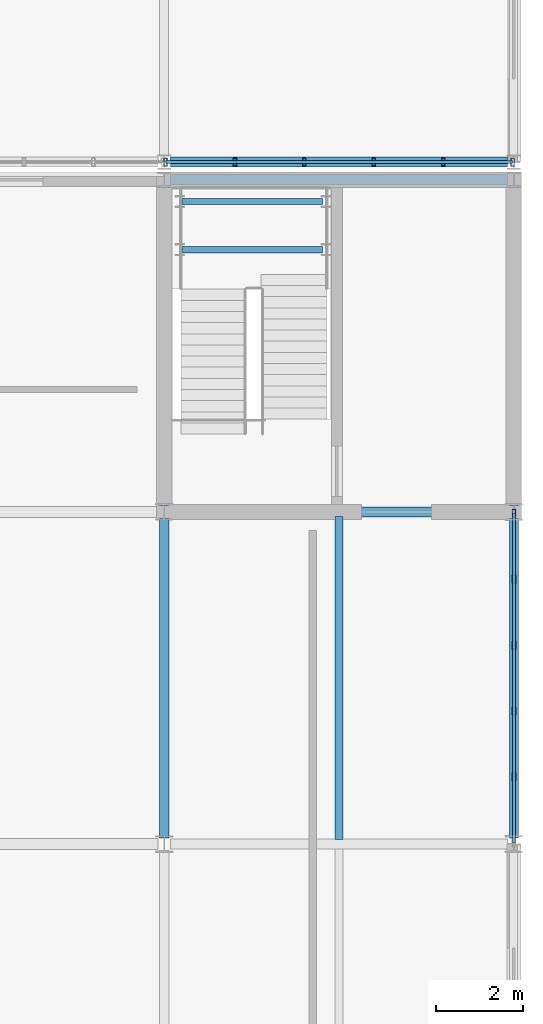
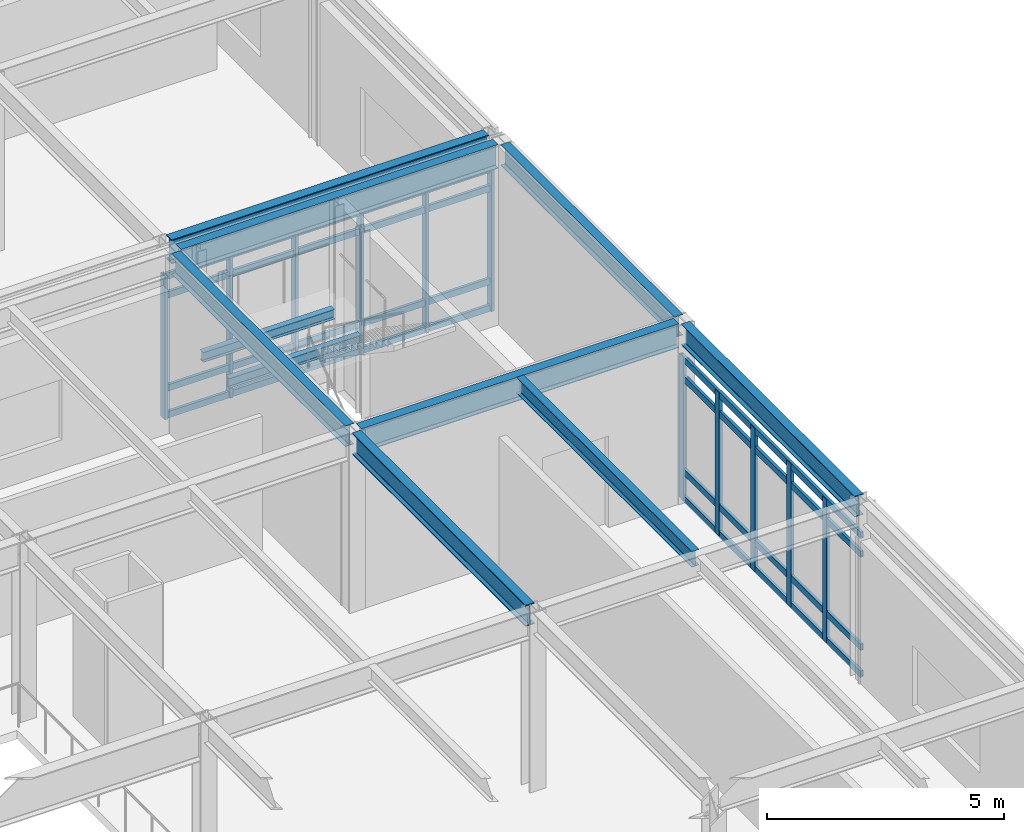
# One storey, part 68 of 104: 19 members, 10 beams, 2 elements without a shape of their own.
"""IFC4 building model written with IfcOpenShell, lengths in metres."""

from ifc_helpers import new_model, si_unit, direction, frame, origin, origin_2d, place, context, subcontext, project, spatial, hollow_rectangle, i_section, extrude, material, material_profile, profile_set, type_object, element, aggregate, save


model = new_model("IFC4")

# Units and contexts
model_context = context("Model", 3, precision=1e-05, world=origin(), true_north=direction((0.0, 1.0)))
body_context = subcontext(model_context, "Body", "Model", "MODEL_VIEW")
ifc_project = project(units=[si_unit("LENGTHUNIT", "METRE"), si_unit("AREAUNIT", "SQUARE_METRE"), si_unit("VOLUMEUNIT", "CUBIC_METRE"), si_unit("PLANEANGLEUNIT", "RADIAN"), si_unit("MASSUNIT", "GRAM", prefix="KILO")], contexts=[model_context])

# Site, building, storey
site_placement = place(None, origin())
site = spatial("IfcSite", under=ifc_project, at=site_placement, CompositionType="ELEMENT")
building_placement = place(site_placement, origin())
building = spatial("IfcBuilding", under=site, at=building_placement, Name="Zulena Civic Courthouse", CompositionType="ELEMENT")
storey_placement = place(building_placement, frame((0.0, 0.0, 10.800048828125)))
storey = spatial("IfcBuildingStorey", under=building, at=storey_placement, Name="L02", CompositionType="ELEMENT", Elevation=10.800048828125)

# Curtain wall, members
ifc_material_1 = material(Name="Double-silver low-E laminated solar-control glass", Category="glass")
curtain_wall_type_1 = type_object("IfcCurtainWallType", Name="CW_7540x3690", PredefinedType="USERDEFINED", material=ifc_material_1)
curtain_wall_1_placement = place(storey_placement, origin())
curtain_wall_1 = element("IfcCurtainWall", 1, at=curtain_wall_1_placement, inside=storey, type_object=curtain_wall_type_1, Name="cw:V1:L02:2:1", ObjectType="UNITISED CURTAIN WALL", PredefinedType="USERDEFINED")
ifc_material_2 = material(Name="Bronze anodised thermally broken aluminium AA6063-T6", Category="aluminium")
ifc_material_profile_1 = material_profile(ifc_material_2, hollow_rectangle(XDim=0.074951171875, YDim=0.179931640625, WallThickness=0.0048828125, at=origin_2d()), Name="CWM180X75X5")
ifc_profile_set_1 = profile_set([ifc_material_profile_1], Name="Bronze anodised thermally broken aluminium AA6063-T6")
member_type_1 = type_object("IfcMemberType", Name="CWMullion_180x75", PredefinedType="MULLION", material=ifc_profile_set_1)
member_1_placement = place(storey_placement, frame((172.0, 22.77001953125, 0.0), z_axis=(0.0, 0.0, 1.0), x_axis=(1.0, 0.0, 0.0)))
member_1 = element("IfcMember", 2, at=member_1_placement, type_object=member_type_1, Name="cw:V1:L02:2:1:mull:0", PredefinedType="MULLION", context=body_context, shape_type="SweptSolid", body=[
    extrude(hollow_rectangle(XDim=0.074951171875, YDim=0.179931640625, WallThickness=0.0048828125, at=origin_2d()), origin(), (0.0, 0.0, 1.0), 3.68994140625),
])
member_2_placement = place(storey_placement, frame((172.0, 21.261962890625, 0.0), z_axis=(0.0, 0.0, 1.0), x_axis=(1.0, 0.0, 0.0)))
member_2 = element("IfcMember", 3, at=member_2_placement, type_object=member_type_1, Name="cw:V1:L02:2:1:mull:1", PredefinedType="MULLION", context=body_context, shape_type="SweptSolid", body=[
    extrude(hollow_rectangle(XDim=0.074951171875, YDim=0.179931640625, WallThickness=0.0048828125, at=origin_2d()), origin(), (0.0, 0.0, 1.0), 3.68994140625),
])
member_3_placement = place(storey_placement, frame((172.0, 19.75390625, 0.0), z_axis=(0.0, 0.0, 1.0), x_axis=(1.0, 0.0, 0.0)))
member_3 = element("IfcMember", 4, at=member_3_placement, type_object=member_type_1, Name="cw:V1:L02:2:1:mull:2", PredefinedType="MULLION", context=body_context, shape_type="SweptSolid", body=[
    extrude(hollow_rectangle(XDim=0.074951171875, YDim=0.179931640625, WallThickness=0.0048828125, at=origin_2d()), origin(), (0.0, 0.0, 1.0), 3.68994140625),
])
member_4_placement = place(storey_placement, frame((172.0, 18.24609375, 0.0), z_axis=(0.0, 0.0, 1.0), x_axis=(1.0, 0.0, 0.0)))
member_4 = element("IfcMember", 5, at=member_4_placement, type_object=member_type_1, Name="cw:V1:L02:2:1:mull:3", PredefinedType="MULLION", context=body_context, shape_type="SweptSolid", body=[
    extrude(hollow_rectangle(XDim=0.074951171875, YDim=0.179931640625, WallThickness=0.0048828125, at=origin_2d()), origin(), (0.0, 0.0, 1.0), 3.68994140625),
])
member_5_placement = place(storey_placement, frame((172.0, 16.738037109375, 0.0), z_axis=(0.0, 0.0, 1.0), x_axis=(1.0, 0.0, 0.0)))
member_5 = element("IfcMember", 6, at=member_5_placement, type_object=member_type_1, Name="cw:V1:L02:2:1:mull:4", PredefinedType="MULLION", context=body_context, shape_type="SweptSolid", body=[
    extrude(hollow_rectangle(XDim=0.074951171875, YDim=0.179931640625, WallThickness=0.0048828125, at=origin_2d()), origin(), (0.0, 0.0, 1.0), 3.68994140625),
])

curtain_wall_type_2 = type_object("IfcCurtainWallType", Name="CW_7940x3690", PredefinedType="USERDEFINED", material=ifc_material_1)
curtain_wall_2_placement = place(storey_placement, origin())
curtain_wall_2 = element("IfcCurtainWall", 7, at=curtain_wall_2_placement, inside=storey, type_object=curtain_wall_type_2, Name="cw:V3:L02:3:0", ObjectType="UNITISED CURTAIN WALL", PredefinedType="USERDEFINED")
member_6_placement = place(storey_placement, frame((171.969970703125, 30.800048828125, 0.0), z_axis=(0.0, 0.0, 1.0), x_axis=(1.0, 0.0, 0.0)))
member_6 = element("IfcMember", 8, at=member_6_placement, type_object=member_type_1, Name="cw:V3:L02:3:0:mull:0", PredefinedType="MULLION", context=body_context, shape_type="SweptSolid", body=[
    extrude(hollow_rectangle(XDim=0.074951171875, YDim=0.179931640625, WallThickness=0.0048828125, at=origin_2d()), origin(), (0.0, 0.0, 1.0), 3.68994140625),
])
member_7_placement = place(storey_placement, frame((170.382080078125, 30.800048828125, 0.0), z_axis=(0.0, 0.0, 1.0), x_axis=(1.0, 0.0, 0.0)))
member_7 = element("IfcMember", 9, at=member_7_placement, type_object=member_type_1, Name="cw:V3:L02:3:0:mull:1", PredefinedType="MULLION", context=body_context, shape_type="SweptSolid", body=[
    extrude(hollow_rectangle(XDim=0.074951171875, YDim=0.179931640625, WallThickness=0.0048828125, at=origin_2d()), origin(), (0.0, 0.0, 1.0), 3.68994140625),
])
member_8_placement = place(storey_placement, frame((168.7939453125, 30.800048828125, 0.0), z_axis=(0.0, 0.0, 1.0), x_axis=(1.0, 0.0, 0.0)))
member_8 = element("IfcMember", 10, at=member_8_placement, type_object=member_type_1, Name="cw:V3:L02:3:0:mull:2", PredefinedType="MULLION", context=body_context, shape_type="SweptSolid", body=[
    extrude(hollow_rectangle(XDim=0.074951171875, YDim=0.179931640625, WallThickness=0.0048828125, at=origin_2d()), origin(), (0.0, 0.0, 1.0), 3.68994140625),
])
member_9_placement = place(storey_placement, frame((167.2060546875, 30.800048828125, 0.0), z_axis=(0.0, 0.0, 1.0), x_axis=(1.0, 0.0, 0.0)))
member_9 = element("IfcMember", 11, at=member_9_placement, type_object=member_type_1, Name="cw:V3:L02:3:0:mull:3", PredefinedType="MULLION", context=body_context, shape_type="SweptSolid", body=[
    extrude(hollow_rectangle(XDim=0.074951171875, YDim=0.179931640625, WallThickness=0.0048828125, at=origin_2d()), origin(), (0.0, 0.0, 1.0), 3.68994140625),
])
member_10_placement = place(storey_placement, frame((165.617919921875, 30.800048828125, 0.0), z_axis=(0.0, 0.0, 1.0), x_axis=(1.0, 0.0, 0.0)))
member_10 = element("IfcMember", 12, at=member_10_placement, type_object=member_type_1, Name="cw:V3:L02:3:0:mull:4", PredefinedType="MULLION", context=body_context, shape_type="SweptSolid", body=[
    extrude(hollow_rectangle(XDim=0.074951171875, YDim=0.179931640625, WallThickness=0.0048828125, at=origin_2d()), origin(), (0.0, 0.0, 1.0), 3.68994140625),
])
member_11_placement = place(storey_placement, frame((164.030029296875, 30.800048828125, 0.0), z_axis=(0.0, 0.0, 1.0), x_axis=(1.0, 0.0, 0.0)))
member_11 = element("IfcMember", 13, at=member_11_placement, type_object=member_type_1, Name="cw:V3:L02:3:0:mull:5", PredefinedType="MULLION", context=body_context, shape_type="SweptSolid", body=[
    extrude(hollow_rectangle(XDim=0.074951171875, YDim=0.179931640625, WallThickness=0.0048828125, at=origin_2d()), origin(), (0.0, 0.0, 1.0), 3.68994140625),
])

# Member
ifc_material_profile_2 = material_profile(ifc_material_2, hollow_rectangle(XDim=0.070068359375, YDim=0.1650390625, WallThickness=0.00390625, at=origin_2d()), Name="CWT165X70X4")
ifc_profile_set_2 = profile_set([ifc_material_profile_2], Name="Bronze anodised thermally broken aluminium AA6063-T6")
member_type_2 = type_object("IfcMemberType", Name="CWTransom_165x70", PredefinedType="USERDEFINED", material=ifc_profile_set_2)
member_12_placement = place(storey_placement, frame((172.0, 22.77001953125, 0.06005859375), z_axis=(0.0, -1.0, 0.0), x_axis=(1.0, 0.0, 0.0)))
member_12 = element("IfcMember", 14, at=member_12_placement, type_object=member_type_2, Name="cw:V1:L02:2:1:tran:0", ObjectType="TRANSOM", PredefinedType="USERDEFINED", context=body_context, shape_type="SweptSolid", body=[
    extrude(hollow_rectangle(XDim=0.070068359375, YDim=0.1650390625, WallThickness=0.00390625, at=origin_2d()), origin(), (0.0, 0.0, 1.0), 7.5400390625),
])

member_13_placement = place(storey_placement, frame((172.0, 22.77001953125, 0.75), z_axis=(0.0, -1.0, 0.0), x_axis=(1.0, 0.0, 0.0)))
member_13 = element("IfcMember", 15, at=member_13_placement, type_object=member_type_2, Name="cw:V1:L02:2:1:tran:1", ObjectType="TRANSOM", PredefinedType="USERDEFINED", context=body_context, shape_type="SweptSolid", body=[
    extrude(hollow_rectangle(XDim=0.070068359375, YDim=0.1650390625, WallThickness=0.00390625, at=origin_2d()), origin(), (0.0, 0.0, 1.0), 7.5400390625),
])

member_14_placement = place(storey_placement, frame((172.0, 22.77001953125, 3.139892578125), z_axis=(0.0, -1.0, 0.0), x_axis=(1.0, 0.0, 0.0)))
member_14 = element("IfcMember", 16, at=member_14_placement, type_object=member_type_2, Name="cw:V1:L02:2:1:tran:2", ObjectType="TRANSOM", PredefinedType="USERDEFINED", context=body_context, shape_type="SweptSolid", body=[
    extrude(hollow_rectangle(XDim=0.070068359375, YDim=0.1650390625, WallThickness=0.00390625, at=origin_2d()), origin(), (0.0, 0.0, 1.0), 7.5400390625),
])

member_15_placement = place(storey_placement, frame((172.0, 22.77001953125, 3.6298828125), z_axis=(0.0, -1.0, 0.0), x_axis=(1.0, 0.0, 0.0)))
member_15 = element("IfcMember", 17, at=member_15_placement, type_object=member_type_2, Name="cw:V1:L02:2:1:tran:3", ObjectType="TRANSOM", PredefinedType="USERDEFINED", context=body_context, shape_type="SweptSolid", body=[
    extrude(hollow_rectangle(XDim=0.070068359375, YDim=0.1650390625, WallThickness=0.00390625, at=origin_2d()), origin(), (0.0, 0.0, 1.0), 7.5400390625),
])

aggregate(curtain_wall_1, [member_1, member_2, member_3, member_4, member_5, member_12, member_13, member_14, member_15])

member_16_placement = place(storey_placement, frame((171.969970703125, 30.800048828125, 0.06005859375), z_axis=(-1.0, 0.0, 0.0), x_axis=(0.0, -1.0, 0.0)))
member_16 = element("IfcMember", 18, at=member_16_placement, type_object=member_type_2, Name="cw:V3:L02:3:0:tran:0", ObjectType="TRANSOM", PredefinedType="USERDEFINED", context=body_context, shape_type="SweptSolid", body=[
    extrude(hollow_rectangle(XDim=0.070068359375, YDim=0.1650390625, WallThickness=0.00390625, at=origin_2d()), origin(), (0.0, 0.0, 1.0), 7.93994140625),
])

member_17_placement = place(storey_placement, frame((171.969970703125, 30.800048828125, 0.75), z_axis=(-1.0, 0.0, 0.0), x_axis=(0.0, -1.0, 0.0)))
member_17 = element("IfcMember", 19, at=member_17_placement, type_object=member_type_2, Name="cw:V3:L02:3:0:tran:1", ObjectType="TRANSOM", PredefinedType="USERDEFINED", context=body_context, shape_type="SweptSolid", body=[
    extrude(hollow_rectangle(XDim=0.070068359375, YDim=0.1650390625, WallThickness=0.00390625, at=origin_2d()), origin(), (0.0, 0.0, 1.0), 7.93994140625),
])

member_18_placement = place(storey_placement, frame((171.969970703125, 30.800048828125, 3.139892578125), z_axis=(-1.0, 0.0, 0.0), x_axis=(0.0, -1.0, 0.0)))
member_18 = element("IfcMember", 20, at=member_18_placement, type_object=member_type_2, Name="cw:V3:L02:3:0:tran:2", ObjectType="TRANSOM", PredefinedType="USERDEFINED", context=body_context, shape_type="SweptSolid", body=[
    extrude(hollow_rectangle(XDim=0.070068359375, YDim=0.1650390625, WallThickness=0.00390625, at=origin_2d()), origin(), (0.0, 0.0, 1.0), 7.93994140625),
])

member_19_placement = place(storey_placement, frame((171.969970703125, 30.800048828125, 3.6298828125), z_axis=(-1.0, 0.0, 0.0), x_axis=(0.0, -1.0, 0.0)))
member_19 = element("IfcMember", 21, at=member_19_placement, type_object=member_type_2, Name="cw:V3:L02:3:0:tran:3", ObjectType="TRANSOM", PredefinedType="USERDEFINED", context=body_context, shape_type="SweptSolid", body=[
    extrude(hollow_rectangle(XDim=0.070068359375, YDim=0.1650390625, WallThickness=0.00390625, at=origin_2d()), origin(), (0.0, 0.0, 1.0), 7.93994140625),
])

aggregate(curtain_wall_2, [member_6, member_7, member_8, member_9, member_10, member_11, member_16, member_17, member_18, member_19])

# Beams
ifc_material_3 = material(Name="Steel ASTM A992 Grade 50", Category="steel")
ifc_material_profile_3 = material_profile(ifc_material_3, i_section(OverallWidth=0.214111328125, OverallDepth=0.549072265625, WebThickness=0.0146484375, FlangeThickness=0.023681640625, FilletRadius=0.0126953125, at=origin_2d()), Name="W21X93")
ifc_profile_set_3 = profile_set([ifc_material_profile_3], Name="Steel ASTM A992 Grade 50")
beam_type_1 = type_object("IfcBeamType", Name="Girder_W21X93", PredefinedType="BEAM", material=ifc_profile_set_3)
beam_1_placement = place(storey_placement, frame((164.0, 15.344970703125, 4.3154296875), z_axis=(0.0, 1.0, 0.0), x_axis=(-1.0, 0.0, 0.0)))
element("IfcBeam", 22, at=beam_1_placement, inside=storey, type_object=beam_type_1, Name="beam:Y:V1:L02:164.0:15.2_22.8", PredefinedType="BEAM", context=body_context, shape_type="SweptSolid", body=[
    extrude(i_section(OverallWidth=0.214111328125, OverallDepth=0.549072265625, WebThickness=0.0146484375, FlangeThickness=0.023681640625, FilletRadius=0.0126953125, at=origin_2d()), origin(), (0.0, 0.0, 1.0), 7.31005859375),
])
ifc_material_profile_4 = material_profile(ifc_material_3, i_section(OverallWidth=0.14599609375, OverallDepth=0.258056640625, WebThickness=0.006103515625, FlangeThickness=0.009033203125, FilletRadius=0.007568359375, at=origin_2d()), Name="W10X22")
ifc_profile_set_4 = profile_set([ifc_material_profile_4], Name="Steel ASTM A992 Grade 50")
beam_type_2 = type_object("IfcBeamType", Name="Joist_W10X22", PredefinedType="JOIST", material=ifc_profile_set_4)
for number, where, z_axis, x_axis, name in (
    (23, (164.419921875, 28.800048828125, 1.990966796875), (1.0, 0.0, 0.0), (0.0, 1.0, 0.0), "beam:lnd:K1B:L02:0"),
    (24, (164.419921875, 29.89990234375, 1.990966796875), (1.0, 0.0, 0.0), (0.0, 1.0, 0.0), "beam:lnd:K1B:L02:1"),
):
    element("IfcBeam", number, at=place(storey_placement, frame(where, z_axis=z_axis, x_axis=x_axis)), inside=storey, type_object=beam_type_2, Name=name, PredefinedType="JOIST", context=body_context, shape_type="SweptSolid", body=[
        extrude(i_section(OverallWidth=0.14599609375, OverallDepth=0.258056640625, WebThickness=0.006103515625, FlangeThickness=0.009033203125, FilletRadius=0.007568359375, at=origin_2d()), origin(), (0.0, 0.0, 1.0), 3.2001953125),
    ])
ifc_material_profile_5 = material_profile(ifc_material_3, i_section(OverallWidth=0.177978515625, OverallDepth=0.406005859375, WebThickness=0.0078125, FlangeThickness=0.0126953125, FilletRadius=0.01025390625, at=origin_2d()), Name="W16X40")
ifc_profile_set_5 = profile_set([ifc_material_profile_5], Name="Steel ASTM A992 Grade 50")
beam_type_3 = type_object("IfcBeamType", Name="Joist_W16X40", PredefinedType="JOIST", material=ifc_profile_set_5)
beam_2_placement = place(storey_placement, frame((168.0, 15.304931640625, 4.386962890625), z_axis=(0.0, 1.0, 0.0), x_axis=(-1.0, 0.0, 0.0)))
element("IfcBeam", 25, at=beam_2_placement, inside=storey, type_object=beam_type_3, Name="joist:V1:L02:168.00:15.2_22.8", PredefinedType="JOIST", context=body_context, shape_type="SweptSolid", body=[
    extrude(i_section(OverallWidth=0.177978515625, OverallDepth=0.406005859375, WebThickness=0.0078125, FlangeThickness=0.0126953125, FilletRadius=0.01025390625, at=origin_2d()), origin(), (0.0, 0.0, 1.0), 7.39013671875),
])
ifc_material_profile_6 = material_profile(ifc_material_3, i_section(OverallWidth=0.2099609375, OverallDepth=0.537109375, WebThickness=0.010986328125, FlangeThickness=0.017333984375, FilletRadius=0.0126953125, at=origin_2d()), Name="W21X68")
ifc_profile_set_6 = profile_set([ifc_material_profile_6], Name="Steel ASTM A992 Grade 50")
beam_type_4 = type_object("IfcBeamType", Name="Spandrel_W21X68", PredefinedType="SPANDREL", material=ifc_profile_set_6)
beam_3_placement = place(storey_placement, frame((164.0, 22.945068359375, 4.321533203125), z_axis=(0.0, 1.0, 0.0), x_axis=(-1.0, 0.0, 0.0)))
element("IfcBeam", 26, at=beam_3_placement, inside=storey, type_object=beam_type_4, Name="beam:Y:V1:L02:164.0:22.8_30.4", PredefinedType="SPANDREL", context=body_context, shape_type="SweptSolid", body=[
    extrude(i_section(OverallWidth=0.2099609375, OverallDepth=0.537109375, WebThickness=0.010986328125, FlangeThickness=0.017333984375, FilletRadius=0.0126953125, at=origin_2d()), origin(), (0.0, 0.0, 1.0), 7.309814453125),
])
beam_4_placement = place(storey_placement, frame((172.0, 15.344970703125, 4.321533203125), z_axis=(0.0, 1.0, 0.0), x_axis=(-1.0, 0.0, 0.0)))
element("IfcBeam", 27, at=beam_4_placement, inside=storey, type_object=beam_type_4, Name="beam:Y:V1:L02:172.0:15.2_22.8", PredefinedType="SPANDREL", context=body_context, shape_type="SweptSolid", body=[
    extrude(i_section(OverallWidth=0.2099609375, OverallDepth=0.537109375, WebThickness=0.010986328125, FlangeThickness=0.017333984375, FilletRadius=0.0126953125, at=origin_2d()), origin(), (0.0, 0.0, 1.0), 7.31005859375),
])
beam_5_placement = place(storey_placement, frame((172.0, 22.945068359375, 4.321533203125), z_axis=(0.0, 1.0, 0.0), x_axis=(-1.0, 0.0, 0.0)))
element("IfcBeam", 28, at=beam_5_placement, inside=storey, type_object=beam_type_4, Name="beam:Y:V1:L02:172.0:22.8_30.4", PredefinedType="SPANDREL", context=body_context, shape_type="SweptSolid", body=[
    extrude(i_section(OverallWidth=0.2099609375, OverallDepth=0.537109375, WebThickness=0.010986328125, FlangeThickness=0.017333984375, FilletRadius=0.0126953125, at=origin_2d()), origin(), (0.0, 0.0, 1.0), 7.309814453125),
])
ifc_material_profile_7 = material_profile(ifc_material_3, i_section(OverallWidth=0.22998046875, OverallDepth=0.616943359375, WebThickness=0.01318359375, FlangeThickness=0.022216796875, FilletRadius=0.0126953125, at=origin_2d()), Name="W24X94")
ifc_profile_set_7 = profile_set([ifc_material_profile_7], Name="Steel ASTM A992 Grade 50")
beam_type_5 = type_object("IfcBeamType", Name="Spandrel_W24X94", PredefinedType="SPANDREL", material=ifc_profile_set_7)
for number, where, z_axis, x_axis, name in (
    (29, (164.14501953125, 22.800048828125, 4.281494140625), (1.0, 0.0, 0.0), (0.0, 1.0, 0.0), "beam:X:V1:L02:22.8:164.0_172.0"),
    (30, (164.14501953125, 30.39990234375, 4.281494140625), (1.0, 0.0, 0.0), (0.0, 1.0, 0.0), "beam:X:V1:L02:30.4:164.0_172.0"),
    (31, (164.14501953125, 30.800048828125, 4.281494140625), (1.0, 0.0, 0.0), (0.0, 1.0, 0.0), "beam:X:V3:L02:30.8:164.0_172.0"),
):
    element("IfcBeam", number, at=place(storey_placement, frame(where, z_axis=z_axis, x_axis=x_axis)), inside=storey, type_object=beam_type_5, Name=name, PredefinedType="SPANDREL", context=body_context, shape_type="SweptSolid", body=[
        extrude(i_section(OverallWidth=0.22998046875, OverallDepth=0.616943359375, WebThickness=0.01318359375, FlangeThickness=0.022216796875, FilletRadius=0.0126953125, at=origin_2d()), origin(), (0.0, 0.0, 1.0), 7.7099609375),
    ])

save(model, "model.ifc")
